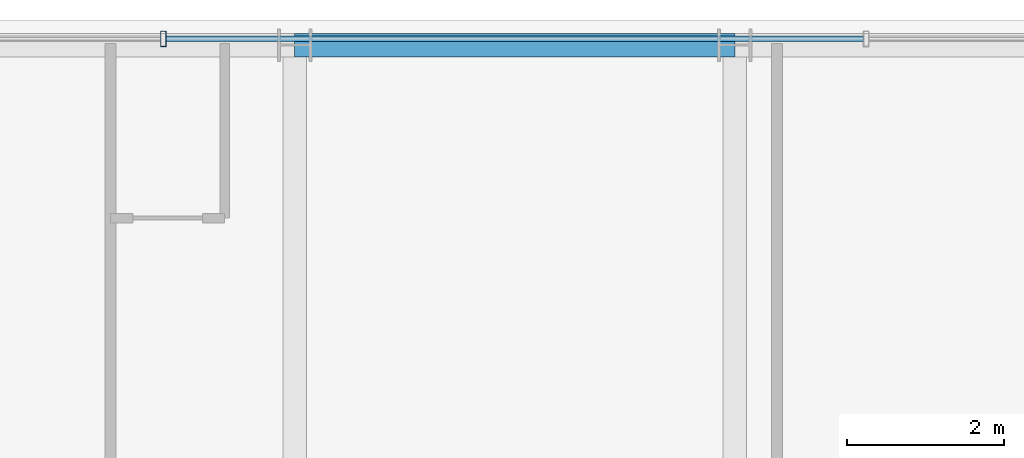
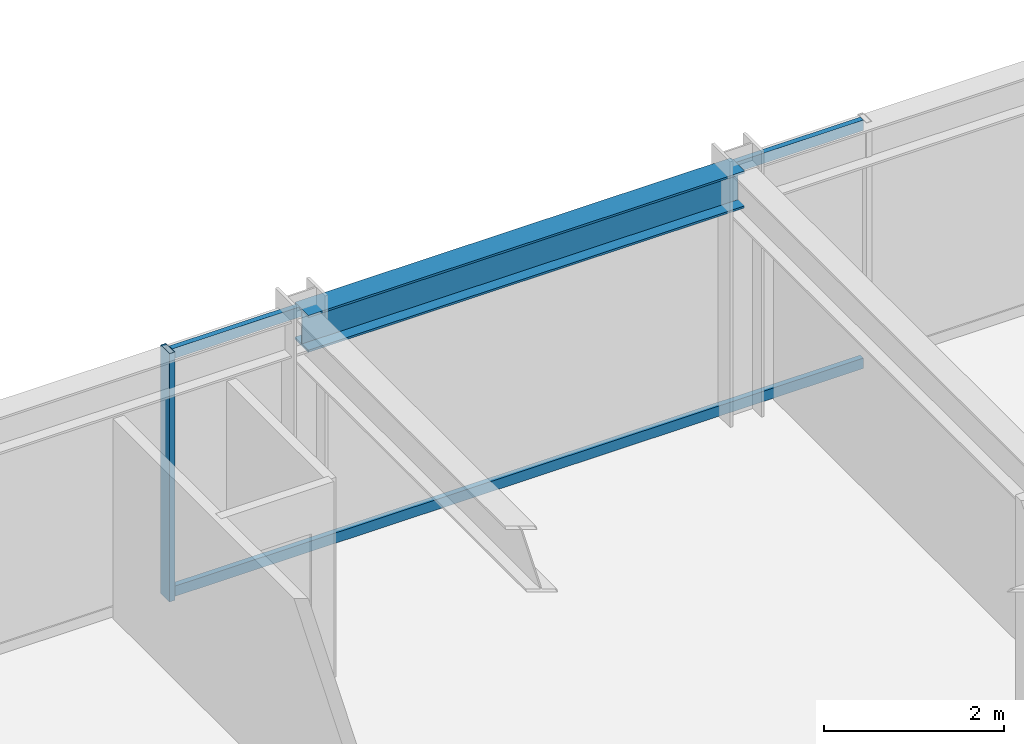
# One storey, part 25 of 38: 3 members, 1 beam, 1 element without a shape of its own.
"""IFC4 building model written with IfcOpenShell, lengths in metres."""

from ifc_helpers import new_model, si_unit, direction, frame, origin, origin_2d, place, context, subcontext, project, spatial, hollow_rectangle, i_section, extrude, source, transform, mapped, material, material_profile, profile_set, type_object, element, aggregate, save


model = new_model("IFC4")

# Units and contexts
model_context = context("Model", 3, precision=1e-05, world=origin(), true_north=direction((0.0, 1.0)))
body_context = subcontext(model_context, "Body", "Model", "MODEL_VIEW")
ifc_project = project(units=[si_unit("LENGTHUNIT", "METRE"), si_unit("AREAUNIT", "SQUARE_METRE"), si_unit("VOLUMEUNIT", "CUBIC_METRE"), si_unit("PLANEANGLEUNIT", "RADIAN"), si_unit("MASSUNIT", "GRAM", prefix="KILO")], contexts=[model_context])

# Site, building, storey
site_placement = place(None, origin())
site = spatial("IfcSite", under=ifc_project, at=site_placement, CompositionType="ELEMENT")
building_placement = place(site_placement, origin())
building = spatial("IfcBuilding", under=site, at=building_placement, Name="Nahalor Promenade Grand Hotel", CompositionType="ELEMENT")
storey_placement = place(building_placement, frame((0.0, 0.0, 50.64990234375)))
storey = spatial("IfcBuildingStorey", under=building, at=storey_placement, Name="L11", CompositionType="ELEMENT", Elevation=50.64990234375)

# Beam
ifc_material_1 = material(Name="Steel S355JR", Category="steel")
ifc_material_profile_1 = material_profile(ifc_material_1, i_section(OverallWidth=0.3, OverallDepth=0.5, WebThickness=0.0145, FlangeThickness=0.028, at=origin_2d()), Name="HEB 500")
ifc_profile_set_1 = profile_set([ifc_material_profile_1], Name="Steel S355JR")
beam_type = type_object("IfcBeamType", Name="Beam-Spandrel-HEB500", PredefinedType="SPANDREL", material=ifc_profile_set_1)
shared_shape_1 = source(origin(), body_context, "Body", "SweptSolid", [
    extrude(i_section(OverallWidth=0.3, OverallDepth=0.5, WebThickness=0.0145, FlangeThickness=0.028, at=origin_2d()), origin(), (0.0, 0.0, 1.0), 5.60009765625),
])
beam_placement = place(storey_placement, frame((-2.800048828125, 25.080078125, 3.1201171875), z_axis=(1.0, 0.0, 0.0), x_axis=(0.0, 1.0, 0.0)))
element("IfcBeam", 1, at=beam_placement, inside=storey, type_object=beam_type, Name="BM-L11-SP-N-2", PredefinedType="SPANDREL", context=body_context, shape_type="MappedRepresentation", body=[
    mapped(shared_shape_1, transform((0.0, 0.0, 0.0), scale=1.0)),
])

# Curtain wall, members
ifc_material_2 = material(Name="Anodised Bronze Aluminium EN AW-6063 T6", Category="aluminium")
curtain_wall_type = type_object("IfcCurtainWallType", Name="CW3 Elliptical-Void Collar Unitised Curtain Wall", PredefinedType="USERDEFINED", material=ifc_material_2)
curtain_wall_placement = place(storey_placement, origin())
curtain_wall = element("IfcCurtainWall", 2, at=curtain_wall_placement, inside=storey, type_object=curtain_wall_type, Name="L11 Curtain Wall CW-L11-N-1", ObjectType="UNITISED_CURTAIN_WALL", PredefinedType="USERDEFINED")
ifc_material_profile_2 = material_profile(ifc_material_2, hollow_rectangle(XDim=0.07, YDim=0.14, WallThickness=0.004, at=origin_2d()), Name="CWT 70x140x4")
ifc_profile_set_2 = profile_set([ifc_material_profile_2], Name="Anodised Bronze Aluminium EN AW-6063 T6")
member_type_1 = type_object("IfcMemberType", Name="CWT3 Void Collar Transom 70x140", PredefinedType="USERDEFINED", material=ifc_profile_set_2)
shared_shape_2 = source(origin(), body_context, "Body", "SweptSolid", [
    extrude(hollow_rectangle(XDim=0.07, YDim=0.14, WallThickness=0.004, at=origin_2d()), origin(), (0.0, 0.0, 1.0), 8.8740234375),
])
member_1_placement = place(storey_placement, frame((-4.43701171875, 25.159912109375, 0.070068359375), z_axis=(1.0, 0.0, 0.0), x_axis=(0.0, 1.0, 0.0)))
member_1 = element("IfcMember", 3, at=member_1_placement, type_object=member_type_1, Name="CW-L11-N-1 Transom 2-0", ObjectType="TRANSOM", PredefinedType="USERDEFINED", context=body_context, shape_type="MappedRepresentation", body=[
    mapped(shared_shape_2, transform((0.0, 0.0, 0.0), scale=1.0)),
])
member_2_placement = place(storey_placement, frame((-4.43701171875, 25.159912109375, 3.300048828125), z_axis=(1.0, 0.0, 0.0), x_axis=(0.0, 1.0, 0.0)))
member_2 = element("IfcMember", 4, at=member_2_placement, type_object=member_type_1, Name="CW-L11-N-1 Transom 2-1", ObjectType="TRANSOM", PredefinedType="USERDEFINED", context=body_context, shape_type="MappedRepresentation", body=[
    mapped(shared_shape_2, transform((0.0, 0.0, 0.0), scale=1.0)),
])
ifc_material_profile_3 = material_profile(ifc_material_2, hollow_rectangle(XDim=0.07, YDim=0.2, WallThickness=0.005, at=origin_2d()), Name="CWM 70x200x5")
ifc_profile_set_3 = profile_set([ifc_material_profile_3], Name="Anodised Bronze Aluminium EN AW-6063 T6")
member_type_2 = type_object("IfcMemberType", Name="CWM3 Void Collar Mullion 70x200", PredefinedType="MULLION", material=ifc_profile_set_3)
shared_shape_3 = source(origin(), body_context, "Body", "SweptSolid", [
    extrude(hollow_rectangle(XDim=0.07, YDim=0.2, WallThickness=0.005, at=origin_2d()), origin(), (0.0, 0.0, 1.0), 3.3701171875),
])
member_3_placement = place(storey_placement, frame((-4.471923828125, 25.159912109375, 0.0), z_axis=(0.0, 0.0, 1.0), x_axis=(1.0, 0.0, 0.0)))
member_3 = element("IfcMember", 5, at=member_3_placement, type_object=member_type_2, Name="CW-L11-N-1 Mullion 2", PredefinedType="MULLION", context=body_context, shape_type="MappedRepresentation", body=[
    mapped(shared_shape_3, transform((0.0, 0.0, 0.0), scale=1.0)),
])
aggregate(curtain_wall, [member_3, member_1, member_2])

save(model, "model.ifc")
